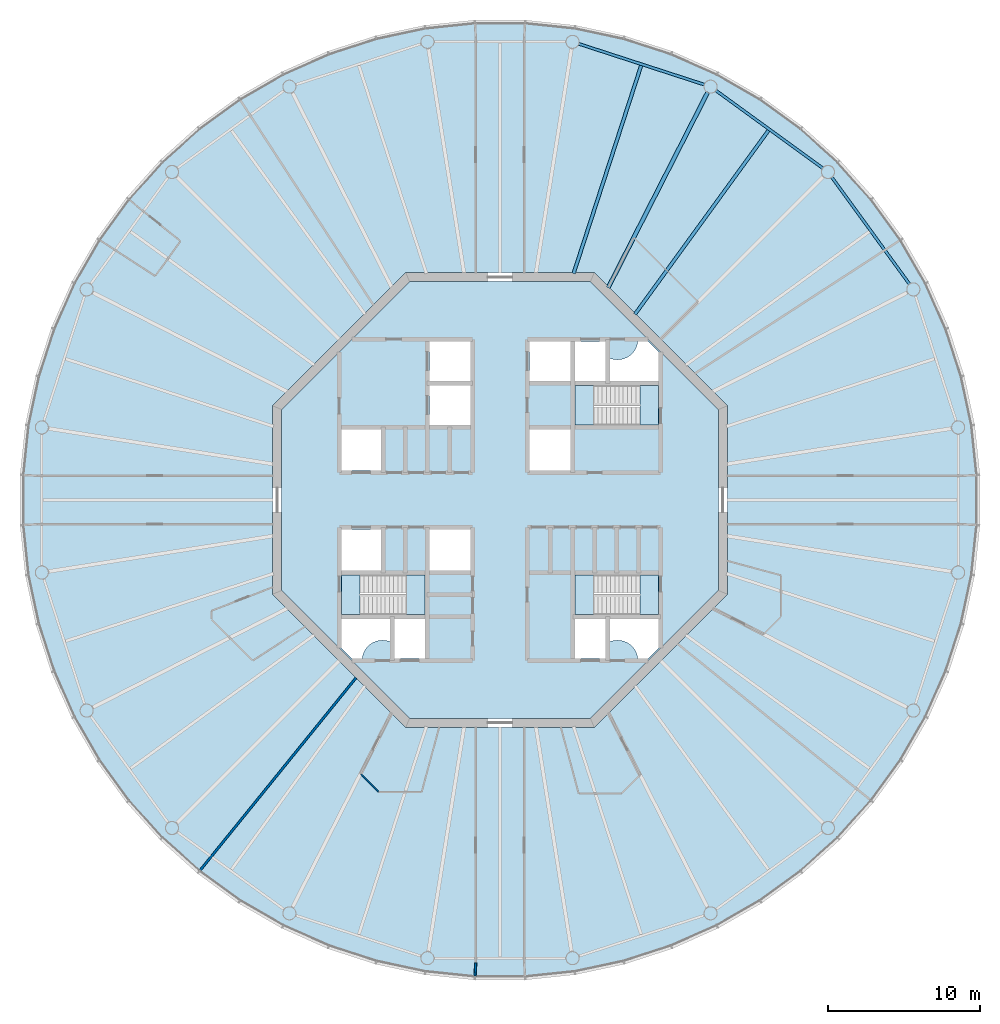
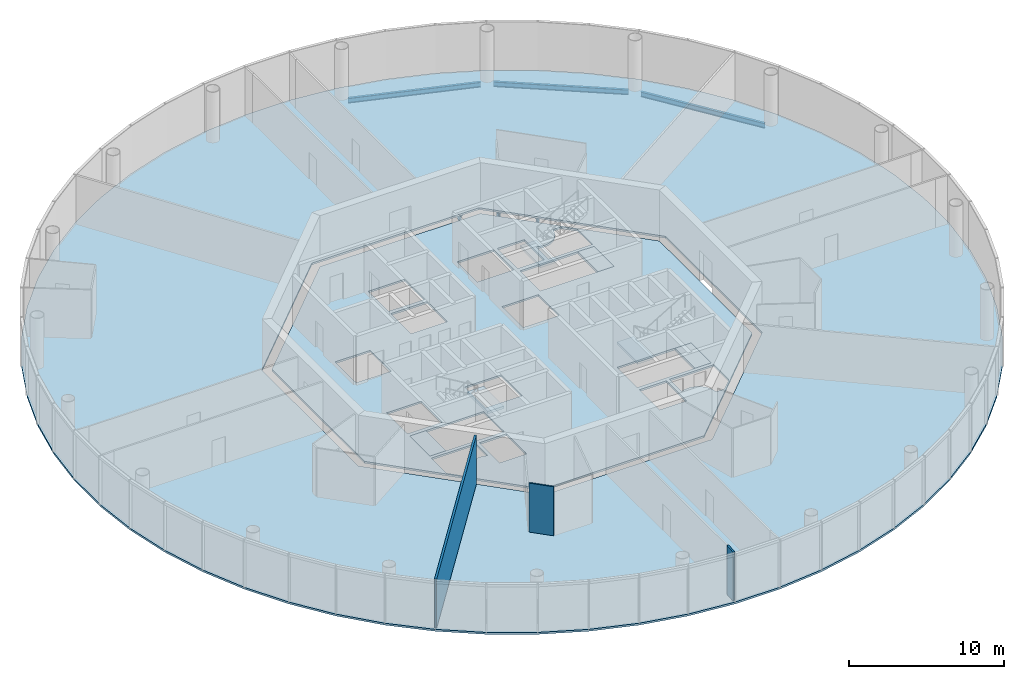
# One storey, part 2 of 13: 8 slabs, 6 beams, 3 walls, 3 elements without a shape of their own.
"""IFC4 building model written with IfcOpenShell, lengths in metres."""

from ifc_helpers import new_model, si_unit, direction, frame, frame_2d, origin, origin_2d, place, context, subcontext, project, spatial, polyline, rectangle, i_section, outline, extrude, material, layer, layer_set, material_profile, profile_set, type_object, element, aggregate, save


model = new_model("IFC4")

# Units and contexts
model_context = context("Model", 3, precision=1e-05, world=origin(), true_north=direction((0.0, 1.0)))
body_context = subcontext(model_context, "Body", "Model", "MODEL_VIEW")
ifc_project = project(units=[si_unit("LENGTHUNIT", "METRE"), si_unit("AREAUNIT", "SQUARE_METRE"), si_unit("VOLUMEUNIT", "CUBIC_METRE"), si_unit("PLANEANGLEUNIT", "RADIAN"), si_unit("MASSUNIT", "GRAM", prefix="KILO")], contexts=[model_context])

# Site, building, storey
site_placement = place(None, origin())
site = spatial("IfcSite", under=ifc_project, at=site_placement, CompositionType="ELEMENT")
building_placement = place(site_placement, origin())
building = spatial("IfcBuilding", under=site, at=building_placement, Name="Entoto Ring Tower", CompositionType="ELEMENT")
storey_placement = place(building_placement, frame((0.0, 0.0, 364.0)))
storey = spatial("IfcBuildingStorey", under=building, at=storey_placement, Name="L84", CompositionType="ELEMENT", Elevation=364.0)

# Beams
ifc_material_1 = material(Name="Steel S355", Category="steel")
ifc_material_profile_1 = material_profile(ifc_material_1, i_section(OverallWidth=0.179931640625, OverallDepth=0.39990234375, WebThickness=0.008544921875, FlangeThickness=0.013427734375, FilletRadius=0.02099609375, at=origin_2d()), Name="IPE 400")
ifc_profile_set_1 = profile_set([ifc_material_profile_1], Name="Steel S355")
beam_type_1 = type_object("IfcBeamType", Name="Edge beam IPE 400", PredefinedType="SPANDREL", material=ifc_profile_set_1)
for number, where, z_axis, x_axis, name in (
    (1, (117.017333984375, 94.232666015625, -0.35009765625), (-0.587794254874, 0.80901045354, 0.0), (-0.80901045354, -0.587794254874, 0.0), "Edge beam L84 02"),
    (2, (111.296875, 101.884765625, -0.35009765625), (-0.80901045354, 0.587794254874, 0.0), (-0.587794254874, -0.80901045354, 0.0), "Edge beam L84 03"),
):
    element("IfcBeam", number, at=place(storey_placement, frame(where, z_axis=z_axis, x_axis=x_axis)), inside=storey, type_object=beam_type_1, Name=name, PredefinedType="SPANDREL", context=body_context, shape_type="SweptSolid", body=[
        extrude(i_section(OverallWidth=0.179931640625, OverallDepth=0.39990234375, WebThickness=0.008544921875, FlangeThickness=0.013427734375, FilletRadius=0.02099609375, at=origin_2d()), origin(), (0.0, 0.0, 1.0), 8.73193359375),
    ])
beam_1_placement = place(storey_placement, frame((103.491943359375, 107.394775390625, -0.35009765625), z_axis=(-0.951052147972, 0.309030438368, 0.0), x_axis=(-0.309030438368, -0.951052147972, 0.0)))
element("IfcBeam", 3, at=beam_1_placement, inside=storey, type_object=beam_type_1, Name="Edge beam L84 04", PredefinedType="SPANDREL", context=body_context, shape_type="SweptSolid", body=[
    extrude(i_section(OverallWidth=0.179931640625, OverallDepth=0.39990234375, WebThickness=0.008544921875, FlangeThickness=0.013427734375, FilletRadius=0.02099609375, at=origin_2d()), origin(), (0.0, 0.0, 1.0), 8.732177734375),
])
ifc_material_2 = material(Name="Steel S355", Category="steel")
ifc_material_profile_2 = material_profile(ifc_material_2, i_section(OverallWidth=0.262939453125, OverallDepth=0.7529296875, WebThickness=0.011474609375, FlangeThickness=0.01708984375, FilletRadius=0.01708984375, at=origin_2d()), Name="IPE 750 x 137")
ifc_profile_set_2 = profile_set([ifc_material_profile_2], Name="Steel S355")
beam_type_2 = type_object("IfcBeamType", Name="Primary floor beam IPE 750 x 137", PredefinedType="BEAM", material=ifc_profile_set_2)
beam_2_placement = place(storey_placement, frame((97.1318359375, 93.9970703125, -0.526611328125), z_axis=(0.453991952968, 0.89100578373, 0.0), x_axis=(-0.89100578373, 0.453991952968, 0.0)))
element("IfcBeam", 4, at=beam_2_placement, inside=storey, type_object=beam_type_2, Name="Primary L84 R04", PredefinedType="BEAM", context=body_context, shape_type="SweptSolid", body=[
    extrude(i_section(OverallWidth=0.262939453125, OverallDepth=0.7529296875, WebThickness=0.011474609375, FlangeThickness=0.01708984375, FilletRadius=0.01708984375, at=origin_2d()), origin(), (0.0, 0.0, 1.0), 14.48046875),
])
ifc_material_3 = material(Name="Steel S355", Category="steel")
ifc_material_profile_3 = material_profile(ifc_material_3, i_section(OverallWidth=0.219970703125, OverallDepth=0.60009765625, WebThickness=0.011962890625, FlangeThickness=0.01904296875, FilletRadius=0.02392578125, at=origin_2d()), Name="IPE 600")
ifc_profile_set_3 = profile_set([ifc_material_profile_3], Name="Steel S355")
beam_type_3 = type_object("IfcBeamType", Name="Secondary floor beam IPE 600", PredefinedType="JOIST", material=ifc_profile_set_3)
beam_3_placement = place(storey_placement, frame((98.90478515625, 92.25634765625, -0.449951171875), z_axis=(0.587782163866, 0.809019238239, 0.0), x_axis=(-0.809019238239, 0.587782163866, 0.0)))
element("IfcBeam", 5, at=beam_3_placement, inside=storey, type_object=beam_type_3, Name="Secondary beam L84 03", PredefinedType="JOIST", context=body_context, shape_type="SweptSolid", body=[
    extrude(i_section(OverallWidth=0.219970703125, OverallDepth=0.60009765625, WebThickness=0.011962890625, FlangeThickness=0.01904296875, FilletRadius=0.02392578125, at=origin_2d()), origin(), (0.0, 0.0, 1.0), 14.983642578125),
])
beam_4_placement = place(storey_placement, frame((94.856689453125, 94.947021484375, -0.449951171875), z_axis=(0.309014850288, 0.951057212949, 0.0), x_axis=(-0.951057212949, 0.309014850288, 0.0)))
element("IfcBeam", 6, at=beam_4_placement, inside=storey, type_object=beam_type_3, Name="Secondary beam L84 04", PredefinedType="JOIST", context=body_context, shape_type="SweptSolid", body=[
    extrude(i_section(OverallWidth=0.219970703125, OverallDepth=0.60009765625, WebThickness=0.011962890625, FlangeThickness=0.01904296875, FilletRadius=0.02392578125, at=origin_2d()), origin(), (0.0, 0.0, 1.0), 14.4169921875),
])

# Slabs
ifc_material_4 = material(Name="Concrete C30/37", Category="concrete")
ifc_layer_1 = layer(ifc_material_4, 0.14990234375)
ifc_layer_set_1 = layer_set([ifc_layer_1], Name="Concrete C30/37")
slab_type_1 = type_object("IfcSlabType", Name="Composite floor slab 150 mm", PredefinedType="FLOOR", material=ifc_layer_set_1)
slab_1_placement = place(storey_placement, frame((0.0, 0.0, -0.14990234375)))
element("IfcSlab", 7, at=slab_1_placement, inside=storey, type_object=slab_type_1, Name="Floor slab L84", PredefinedType="FLOOR", context=body_context, shape_type="SweptSolid", body=[
    extrude(outline(polyline([(121.2109375, 84.943359375), (120.523193359375, 88.1787109375), (119.501220703125, 91.324462890625), (118.15576171875, 94.34619140625), (116.501953125, 97.210693359375), (114.557861328125, 99.886474609375), (112.344482421875, 102.344482421875), (109.886474609375, 104.557861328125), (107.210693359375, 106.501953125), (104.34619140625, 108.15576171875), (101.324462890625, 109.501220703125), (98.1787109375, 110.523193359375), (94.943359375, 111.2109375), (91.65380859375, 111.556640625), (88.34619140625, 111.556640625), (85.056640625, 111.2109375), (81.8212890625, 110.523193359375), (78.675537109375, 109.501220703125), (75.65380859375, 108.15576171875), (72.789306640625, 106.501953125), (70.113525390625, 104.557861328125), (67.655517578125, 102.344482421875), (65.442138671875, 99.886474609375), (63.498046875, 97.210693359375), (61.84423828125, 94.34619140625), (60.498779296875, 91.324462890625), (59.476806640625, 88.1787109375), (58.7890625, 84.943359375), (58.443359375, 81.65380859375), (58.443359375, 78.34619140625), (58.7890625, 75.056640625), (59.476806640625, 71.8212890625), (60.498779296875, 68.675537109375), (61.84423828125, 65.65380859375), (63.498046875, 62.789306640625), (65.442138671875, 60.113525390625), (67.655517578125, 57.655517578125), (70.113525390625, 55.442138671875), (72.789306640625, 53.498046875), (75.65380859375, 51.84423828125), (78.675537109375, 50.498779296875), (81.8212890625, 49.476806640625), (85.056640625, 48.7890625), (88.34619140625, 48.443359375), (91.65380859375, 48.443359375), (94.943359375, 48.7890625), (98.1787109375, 49.476806640625), (101.324462890625, 50.498779296875), (104.34619140625, 51.84423828125), (107.210693359375, 53.498046875), (109.886474609375, 55.442138671875), (112.344482421875, 57.655517578125), (114.557861328125, 60.113525390625), (116.501953125, 62.789306640625), (118.15576171875, 65.65380859375), (119.501220703125, 68.675537109375), (120.523193359375, 71.8212890625), (121.2109375, 75.056640625), (121.556640625, 78.34619140625), (121.556640625, 81.65380859375), (121.2109375, 84.943359375)]), holes=[polyline([(105.0, 73.786865234375), (105.0, 86.213134765625), (96.213134765625, 95.0), (83.786865234375, 95.0), (75.0, 86.213134765625), (75.0, 73.786865234375), (83.786865234375, 65.0), (96.213134765625, 65.0), (105.0, 73.786865234375)])]), origin(), (0.0, 0.0, 1.0), 0.14990234375),
])
ifc_material_5 = material(Name="Concrete C40/50", Category="concrete")
ifc_layer_2 = layer(ifc_material_5, 0.14990234375)
ifc_layer_set_2 = layer_set([ifc_layer_2], Name="Concrete C40/50")
slab_type_2 = type_object("IfcSlabType", Name="Core floor slab 150 mm reinforced concrete C40/50", PredefinedType="FLOOR", material=ifc_layer_set_2)
slab_2_placement = place(storey_placement, frame((0.0, 0.0, -0.14990234375)))
element("IfcSlab", 8, at=slab_2_placement, inside=storey, type_object=slab_type_2, Name="Core floor L84", PredefinedType="FLOOR", context=body_context, shape_type="SweptSolid", body=[
    extrude(outline(polyline([(104.39990234375, 74.035400390625), (104.39990234375, 85.964599609375), (95.964599609375, 94.39990234375), (84.035400390625, 94.39990234375), (75.60009765625, 85.964599609375), (75.60009765625, 74.035400390625), (84.035400390625, 65.60009765625), (95.964599609375, 65.60009765625), (104.39990234375, 74.035400390625)]), holes=[polyline([(100.449951171875, 84.949951171875), (100.449951171875, 87.550048828125), (94.949951171875, 87.550048828125), (94.949951171875, 84.949951171875), (100.449951171875, 84.949951171875)]), polyline([(85.050048828125, 72.449951171875), (85.050048828125, 75.050048828125), (79.550048828125, 75.050048828125), (79.550048828125, 72.449951171875), (85.050048828125, 72.449951171875)]), polyline([(100.449951171875, 72.449951171875), (100.449951171875, 75.050048828125), (94.949951171875, 75.050048828125), (94.949951171875, 72.449951171875), (100.449951171875, 72.449951171875)]), polyline([(94.949951171875, 90.449951171875), (94.949951171875, 87.85009765625), (96.949951171875, 87.85009765625), (96.949951171875, 90.449951171875), (94.949951171875, 90.449951171875)]), polyline([(94.949951171875, 72.14990234375), (94.949951171875, 69.550048828125), (96.949951171875, 69.550048828125), (96.949951171875, 72.14990234375), (94.949951171875, 72.14990234375)]), polyline([(83.050048828125, 72.14990234375), (83.050048828125, 69.550048828125), (85.050048828125, 69.550048828125), (85.050048828125, 72.14990234375), (83.050048828125, 72.14990234375)]), polyline([(79.550048828125, 81.949951171875), (82.14990234375, 81.949951171875), (82.14990234375, 84.64990234375), (79.550048828125, 84.64990234375), (79.550048828125, 81.949951171875)]), polyline([(79.550048828125, 75.35009765625), (82.14990234375, 75.35009765625), (82.14990234375, 78.050048828125), (79.550048828125, 78.050048828125), (79.550048828125, 75.35009765625)]), polyline([(91.949951171875, 87.85009765625), (94.64990234375, 87.85009765625), (94.64990234375, 90.449951171875), (91.949951171875, 90.449951171875), (91.949951171875, 87.85009765625)]), polyline([(91.949951171875, 81.949951171875), (94.64990234375, 81.949951171875), (94.64990234375, 84.64990234375), (91.949951171875, 84.64990234375), (91.949951171875, 81.949951171875)]), polyline([(85.35009765625, 75.35009765625), (88.050048828125, 75.35009765625), (88.050048828125, 78.050048828125), (85.35009765625, 78.050048828125), (85.35009765625, 75.35009765625)]), polyline([(85.35009765625, 84.949951171875), (88.050048828125, 84.949951171875), (88.050048828125, 87.550048828125), (85.35009765625, 87.550048828125), (85.35009765625, 84.949951171875)]), polyline([(85.35009765625, 87.85009765625), (88.050048828125, 87.85009765625), (88.050048828125, 90.449951171875), (85.35009765625, 90.449951171875), (85.35009765625, 87.85009765625)]), polyline([(97.199951171875, 89.368408203125), (97.199951171875, 87.800048828125), (100.5, 87.800048828125), (100.5, 89.723388671875), (99.723388671875, 90.5), (99.09521484375, 90.5), (99.093505859375, 90.4677734375), (99.07421875, 90.336669921875), (99.0419921875, 90.2080078125), (98.997314453125, 90.08349609375), (98.940673828125, 89.963623046875), (98.87255859375, 89.85009765625), (98.793701171875, 89.74365234375), (98.70458984375, 89.6455078125), (98.6064453125, 89.556396484375), (98.5, 89.4775390625), (98.386474609375, 89.409423828125), (98.2666015625, 89.352783203125), (98.141845703125, 89.30810546875), (98.013427734375, 89.27587890625), (97.88232421875, 89.256591796875), (97.75, 89.25), (97.61767578125, 89.256591796875), (97.486572265625, 89.27587890625), (97.358154296875, 89.30810546875), (97.2333984375, 89.352783203125), (97.199951171875, 89.368408203125)]), polyline([(80.276611328125, 69.5), (80.90478515625, 69.5), (80.906494140625, 69.5322265625), (80.92578125, 69.663330078125), (80.9580078125, 69.7919921875), (81.002685546875, 69.91650390625), (81.059326171875, 70.036376953125), (81.12744140625, 70.14990234375), (81.206298828125, 70.25634765625), (81.29541015625, 70.3544921875), (81.3935546875, 70.443603515625), (81.5, 70.5224609375), (81.613525390625, 70.590576171875), (81.7333984375, 70.647216796875), (81.858154296875, 70.69189453125), (81.986572265625, 70.72412109375), (82.11767578125, 70.743408203125), (82.25, 70.75), (82.38232421875, 70.743408203125), (82.513427734375, 70.72412109375), (82.641845703125, 70.69189453125), (82.7666015625, 70.647216796875), (82.800048828125, 70.631591796875), (82.800048828125, 72.199951171875), (79.5, 72.199951171875), (79.5, 70.276611328125), (80.276611328125, 69.5)]), polyline([(99.09521484375, 69.5), (99.723388671875, 69.5), (100.5, 70.276611328125), (100.5, 72.199951171875), (97.199951171875, 72.199951171875), (97.199951171875, 70.631591796875), (97.2333984375, 70.647216796875), (97.358154296875, 70.69189453125), (97.486572265625, 70.72412109375), (97.61767578125, 70.743408203125), (97.75, 70.75), (97.88232421875, 70.743408203125), (98.013427734375, 70.72412109375), (98.141845703125, 70.69189453125), (98.2666015625, 70.647216796875), (98.386474609375, 70.590576171875), (98.5, 70.5224609375), (98.6064453125, 70.443603515625), (98.70458984375, 70.3544921875), (98.793701171875, 70.25634765625), (98.87255859375, 70.14990234375), (98.940673828125, 70.036376953125), (98.997314453125, 69.91650390625), (99.0419921875, 69.7919921875), (99.07421875, 69.663330078125), (99.093505859375, 69.5322265625), (99.09521484375, 69.5)])]), origin(), (0.0, 0.0, 1.0), 0.14990234375),
])

# Stair, slabs
ifc_material_6 = material(Name="Concrete C40/50", Category="concrete")
stair_type = type_object("IfcStairType", Name="Exit stair 1200 mm dog-leg reinforced concrete", PredefinedType="HALF_TURN_STAIR", material=ifc_material_6)
stair_1_placement = place(storey_placement, origin())
stair_1 = element("IfcStair", 9, at=stair_1_placement, inside=storey, type_object=stair_type, Name="Exit stair 1", PredefinedType="HALF_TURN_STAIR")
ifc_material_7 = material(Name="Concrete C40/50", Category="concrete")
ifc_layer_3 = layer(ifc_material_7, 0.199951171875)
ifc_layer_set_3 = layer_set([ifc_layer_3], Name="Concrete C40/50")
slab_type_3 = type_object("IfcSlabType", Name="Stair landing 200 mm reinforced concrete", PredefinedType="LANDING", material=ifc_layer_set_3)
slab_3_placement = place(storey_placement, frame((0.0, 0.0, -0.199951171875)))
slab_3 = element("IfcSlab", 10, at=slab_3_placement, type_object=slab_type_3, Name="ST1 landing 1", PredefinedType="LANDING", context=body_context, shape_type="SweptSolid", body=[
    extrude(outline(polyline([(100.449951171875, 84.949951171875), (100.449951171875, 87.550048828125), (99.25, 87.550048828125), (99.25, 84.949951171875), (100.449951171875, 84.949951171875)])), origin(), (0.0, 0.0, 1.0), 0.199951171875),
])
slab_4_placement = place(storey_placement, frame((0.0, 0.0, 1.800048828125)))
slab_4 = element("IfcSlab", 11, at=slab_4_placement, type_object=slab_type_3, Name="ST1 landing 2", PredefinedType="LANDING", context=body_context, shape_type="SweptSolid", body=[
    extrude(outline(polyline([(94.949951171875, 84.949951171875), (96.169921875, 84.949951171875), (96.169921875, 87.550048828125), (94.949951171875, 87.550048828125), (94.949951171875, 84.949951171875)])), origin(), (0.0, 0.0, 1.0), 0.199951171875),
])
aggregate(stair_1, [slab_3, slab_4])

stair_2_placement = place(storey_placement, origin())
stair_2 = element("IfcStair", 12, at=stair_2_placement, inside=storey, type_object=stair_type, Name="Exit stair 2", PredefinedType="HALF_TURN_STAIR")
slab_5_placement = place(storey_placement, frame((0.0, 0.0, -0.199951171875)))
slab_5 = element("IfcSlab", 13, at=slab_5_placement, type_object=slab_type_3, Name="ST2 landing 1", PredefinedType="LANDING", context=body_context, shape_type="SweptSolid", body=[
    extrude(outline(polyline([(80.75, 72.449951171875), (80.75, 75.050048828125), (79.550048828125, 75.050048828125), (79.550048828125, 72.449951171875), (80.75, 72.449951171875)])), origin(), (0.0, 0.0, 1.0), 0.199951171875),
])
slab_6_placement = place(storey_placement, frame((0.0, 0.0, 1.800048828125)))
slab_6 = element("IfcSlab", 14, at=slab_6_placement, type_object=slab_type_3, Name="ST2 landing 2", PredefinedType="LANDING", context=body_context, shape_type="SweptSolid", body=[
    extrude(outline(polyline([(83.830078125, 72.449951171875), (85.050048828125, 72.449951171875), (85.050048828125, 75.050048828125), (83.830078125, 75.050048828125), (83.830078125, 72.449951171875)])), origin(), (0.0, 0.0, 1.0), 0.199951171875),
])
aggregate(stair_2, [slab_5, slab_6])

stair_3_placement = place(storey_placement, origin())
stair_3 = element("IfcStair", 15, at=stair_3_placement, inside=storey, type_object=stair_type, Name="Exit stair 3", PredefinedType="HALF_TURN_STAIR")
slab_7_placement = place(storey_placement, frame((0.0, 0.0, -0.199951171875)))
slab_7 = element("IfcSlab", 16, at=slab_7_placement, type_object=slab_type_3, Name="ST3 landing 1", PredefinedType="LANDING", context=body_context, shape_type="SweptSolid", body=[
    extrude(outline(polyline([(100.449951171875, 72.449951171875), (100.449951171875, 75.050048828125), (99.25, 75.050048828125), (99.25, 72.449951171875), (100.449951171875, 72.449951171875)])), origin(), (0.0, 0.0, 1.0), 0.199951171875),
])
slab_8_placement = place(storey_placement, frame((0.0, 0.0, 1.800048828125)))
slab_8 = element("IfcSlab", 17, at=slab_8_placement, type_object=slab_type_3, Name="ST3 landing 2", PredefinedType="LANDING", context=body_context, shape_type="SweptSolid", body=[
    extrude(outline(polyline([(94.949951171875, 72.449951171875), (96.169921875, 72.449951171875), (96.169921875, 75.050048828125), (94.949951171875, 75.050048828125), (94.949951171875, 72.449951171875)])), origin(), (0.0, 0.0, 1.0), 0.199951171875),
])
aggregate(stair_3, [slab_7, slab_8])

# Walls
ifc_material_8 = material(Name="Fire-resisting plasterboard on steel studs", Category="steel")
ifc_layer_4 = layer(ifc_material_8, 0.125)
ifc_layer_set_4 = layer_set([ifc_layer_4], Name="Fire-resisting plasterboard on steel studs")
wall_type_1 = type_object("IfcWallType", Name="Corridor wall 125 mm one-hour plasterboard on steel studs", PredefinedType="PARTITIONING", material=ifc_layer_set_4)
wall_1_placement = place(storey_placement, frame((88.3544921875, 48.60302734375, 0.0), z_axis=(0.0, 0.0, 1.0), x_axis=(0.052499574911, 0.998620946423, 0.0)))
element("IfcWall", 18, at=wall_1_placement, inside=storey, type_object=wall_type_1, Name="partition-L84-011", PredefinedType="PARTITIONING", context=body_context, shape_type="SweptSolid", body=[
    extrude(rectangle(XDim=0.864990234375, YDim=0.125, at=frame_2d((0.4326171875, 0.0))), origin(), (0.0, 0.0, 1.0), 3.85009765625),
])
ifc_material_9 = material(Name="Plasterboard on steel studs", Category="steel")
ifc_layer_5 = layer(ifc_material_9, 0.10009765625)
ifc_layer_set_5 = layer_set([ifc_layer_5], Name="Plasterboard on steel studs")
wall_type_2 = type_object("IfcWallType", Name="Partition 100 mm plasterboard on steel studs", PredefinedType="PARTITIONING", material=ifc_layer_set_5)
wall_2_placement = place(storey_placement, frame((81.993408203125, 60.7548828125, 0.0), z_axis=(0.0, 0.0, 1.0), x_axis=(-0.707181295837, 0.707032258683, 0.0)))
element("IfcWall", 19, at=wall_2_placement, inside=storey, type_object=wall_type_2, Name="partition-L84-040", PredefinedType="PARTITIONING", context=body_context, shape_type="SweptSolid", body=[
    extrude(rectangle(XDim=1.63818359375, YDim=0.10009765625, at=frame_2d((0.819091796875, 0.0))), origin(), (0.0, 0.0, 1.0), 3.85009765625),
])
ifc_material_10 = material(Name="Fire-resisting acoustic plasterboard on steel studs", Category="steel")
ifc_layer_6 = layer(ifc_material_10, 0.14990234375)
ifc_layer_set_6 = layer_set([ifc_layer_6], Name="Fire-resisting acoustic plasterboard on steel studs")
wall_type_3 = type_object("IfcWallType", Name="Party wall 150 mm one-hour acoustic plasterboard on steel studs", PredefinedType="PARTITIONING", material=ifc_layer_set_6)
wall_3_placement = place(storey_placement, frame((70.214111328125, 55.56640625, 0.0), z_axis=(0.0, 0.0, 1.0), x_axis=(0.629323592667, 0.777143368827, 0.0)))
element("IfcWall", 20, at=wall_3_placement, inside=storey, type_object=wall_type_3, Name="partition-L84-017", PredefinedType="PARTITIONING", context=body_context, shape_type="SweptSolid", body=[
    extrude(rectangle(XDim=16.357666015625, YDim=0.14990234375, at=frame_2d((8.1787109375, 0.0))), origin(), (0.0, 0.0, 1.0), 3.85009765625),
])

save(model, "model.ifc")
